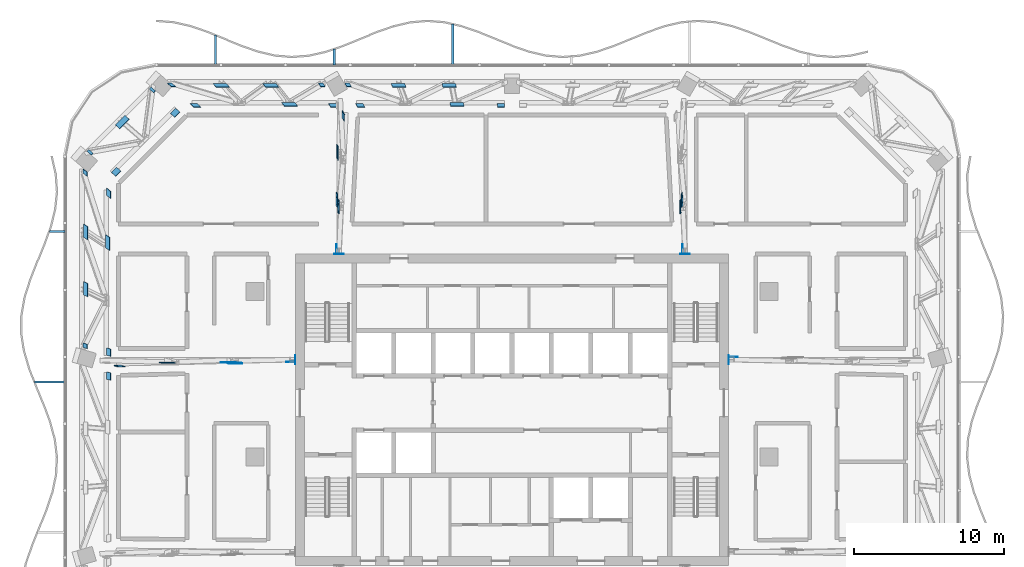
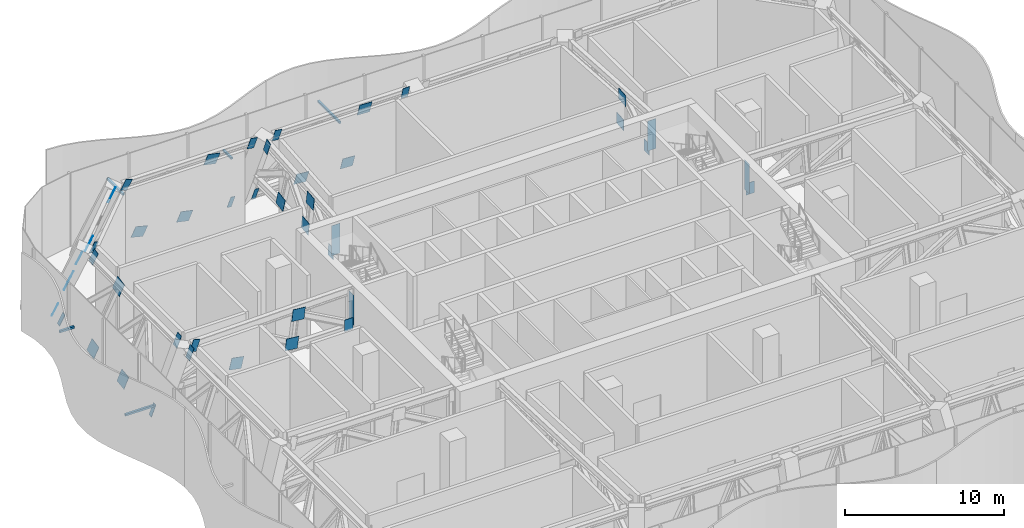
# One storey, part 17 of 29: 49 discrete accessories.
"""IFC4 building model written with IfcOpenShell, lengths in metres."""

from ifc_helpers import new_model, si_unit, direction, frame, origin, origin_2d, place, context, subcontext, project, spatial, rectangle, extrude, material, layer, layer_set, type_object, element, save


model = new_model("IFC4")

# Units and contexts
model_context = context("Model", 3, precision=1e-05, world=origin(), true_north=direction((0.0, 1.0)))
body_context = subcontext(model_context, "Body", "Model", "MODEL_VIEW")
ifc_project = project(units=[si_unit("LENGTHUNIT", "METRE"), si_unit("AREAUNIT", "SQUARE_METRE"), si_unit("VOLUMEUNIT", "CUBIC_METRE"), si_unit("PLANEANGLEUNIT", "RADIAN"), si_unit("MASSUNIT", "GRAM", prefix="KILO")], contexts=[model_context])

# Site, building, storey
site_placement = place(None, origin())
site = spatial("IfcSite", under=ifc_project, at=site_placement, CompositionType="ELEMENT")
building_placement = place(site_placement, origin())
building = spatial("IfcBuilding", under=site, at=building_placement, Name="Mopane Tessera Tower", CompositionType="ELEMENT")
storey_placement = place(building_placement, frame((0.0, 0.0, 315.39990234375)))
storey = spatial("IfcBuildingStorey", under=building, at=storey_placement, Name="L69", CompositionType="ELEMENT", Elevation=315.39990234375)

# Discrete accessories
ifc_material_1 = material(Name="Structural steel S460", Category="steel")
ifc_layer_1 = layer(ifc_material_1, 0.014892578125)
ifc_layer_set_1 = layer_set([ifc_layer_1], Name="Structural steel S460")
discrete_accessory_type_1 = type_object("IfcDiscreteAccessoryType", Name="Cast-in anchor plate 15 mm", PredefinedType="ANCHORPLATE", material=ifc_layer_set_1)
for number, where, z_axis, x_axis, name in (
    (1, (14.407470703125, 6.47998046875, 2.72021484375), (0.0, 0.0, 1.0), (1.0, 0.0, 0.0), "Cast-in anchor plate s ot L69 E2 p"),
    (2, (-14.407470703125, 6.47998046875, 2.72021484375), (0.0, 0.0, 1.0), (-1.0, 0.0, 0.0), "Cast-in anchor plate s ot L69 W1 p"),
    (3, (11.500732421875, 13.507568359375, 2.72021484375), (0.0, 0.0, 1.0), (0.0, 1.0, 0.0), "Cast-in anchor plate s ot L69 N1 p"),
    (4, (-11.500732421875, 13.507568359375, 2.72021484375), (0.0, 0.0, 1.0), (0.0, 1.0, 0.0), "Cast-in anchor plate s ot L69 N3 p"),
):
    element("IfcDiscreteAccessory", number, at=place(storey_placement, frame(where, z_axis=z_axis, x_axis=x_axis)), inside=storey, type_object=discrete_accessory_type_1, Name=name, PredefinedType="ANCHORPLATE", context=body_context, shape_type="SweptSolid", body=[
        extrude(rectangle(XDim=0.014892578125, YDim=0.60498046875, at=origin_2d()), origin(), (0.0, 0.0, 1.0), 2.309814453125),
    ])
ifc_material_2 = material(Name="Stainless steel S316", Category="steel")
discrete_accessory_type_2 = type_object("IfcDiscreteAccessoryType", Name="Louvre bracket 150 x 150", PredefinedType="BRACKET", material=ifc_material_2)
discrete_accessory_1_placement = place(storey_placement, frame((-3.941650390625, 27.43212890625, 2.5400390625), z_axis=(0.0, 0.0, 1.0), x_axis=(0.0, 1.0, 0.0)))
element("IfcDiscreteAccessory", 5, at=discrete_accessory_1_placement, inside=storey, type_object=discrete_accessory_type_2, Name="e:lv:L69:N:1:br1", PredefinedType="BRACKET", context=body_context, shape_type="SweptSolid", body=[
    extrude(rectangle(XDim=2.744384765625, YDim=0.14990234375, at=origin_2d()), origin(), (0.0, 0.0, 1.0), 0.14990234375),
])
discrete_accessory_2_placement = place(storey_placement, frame((-11.824951171875, 26.590087890625, 2.5400390625), z_axis=(0.0, 0.0, 1.0), x_axis=(0.0, 1.0, 0.0)))
element("IfcDiscreteAccessory", 6, at=discrete_accessory_2_placement, inside=storey, type_object=discrete_accessory_type_2, Name="e:lv:L69:N:2:br0", PredefinedType="BRACKET", context=body_context, shape_type="SweptSolid", body=[
    extrude(rectangle(XDim=1.060302734375, YDim=0.14990234375, at=origin_2d()), origin(), (0.0, 0.0, 1.0), 0.14990234375),
])
discrete_accessory_3_placement = place(storey_placement, frame((-19.708251953125, 27.056396484375, 2.5400390625), z_axis=(0.0, 0.0, 1.0), x_axis=(0.0, 1.0, 0.0)))
element("IfcDiscreteAccessory", 7, at=discrete_accessory_3_placement, inside=storey, type_object=discrete_accessory_type_2, Name="e:lv:L69:N:2:br1", PredefinedType="BRACKET", context=body_context, shape_type="SweptSolid", body=[
    extrude(rectangle(XDim=1.992919921875, YDim=0.14990234375, at=origin_2d()), origin(), (0.0, 0.0, 1.0), 0.14990234375),
])
discrete_accessory_4_placement = place(storey_placement, frame((-30.23583984375, 15.0, 2.5400390625), z_axis=(0.0, 0.0, 1.0), x_axis=(-1.0, 0.0, 0.0)))
element("IfcDiscreteAccessory", 8, at=discrete_accessory_4_placement, inside=storey, type_object=discrete_accessory_type_2, Name="e:lv:L69:W:0:br0", PredefinedType="BRACKET", context=body_context, shape_type="SweptSolid", body=[
    extrude(rectangle(XDim=1.0517578125, YDim=0.14990234375, at=origin_2d()), origin(), (0.0, 0.0, 1.0), 0.14990234375),
])
discrete_accessory_5_placement = place(storey_placement, frame((-30.7353515625, 5.0, 2.5400390625), z_axis=(0.0, 0.0, 1.0), x_axis=(-1.0, 0.0, 0.0)))
element("IfcDiscreteAccessory", 9, at=discrete_accessory_5_placement, inside=storey, type_object=discrete_accessory_type_2, Name="e:lv:L69:W:0:br1", PredefinedType="BRACKET", context=body_context, shape_type="SweptSolid", body=[
    extrude(rectangle(XDim=2.050537109375, YDim=0.14990234375, at=origin_2d()), origin(), (0.0, 0.0, 1.0), 0.14990234375),
])
ifc_material_3 = material(Name="Structural steel S460", Category="steel")
ifc_layer_2 = layer(ifc_material_3, 0.030029296875)
ifc_layer_set_2 = layer_set([ifc_layer_2], Name="Structural steel S460")
discrete_accessory_type_3 = type_object("IfcDiscreteAccessoryType", Name="Truss node plate 30 mm", PredefinedType="BRACKET", material=ifc_layer_set_2)
for number, where, z_axis, x_axis, name in (
    (10, (14.721435546875, 6.64697265625, 2.35986328125), (-0.007322813267, -0.00216972245, 0.99997083393), (-0.005274805042, 0.999983817242, 0.002131123082), "Truss node plate s ot L69 E2 0"),
    (11, (-14.720703125, 6.31201171875, 2.35986328125), (0.007322813267, -0.00216972245, 0.99997083393), (-0.005274805042, -0.999983817242, -0.002131123082), "Truss node plate s ot L69 W1 0"),
):
    element("IfcDiscreteAccessory", number, at=place(storey_placement, frame(where, z_axis=z_axis, x_axis=x_axis)), inside=storey, type_object=discrete_accessory_type_3, Name=name, PredefinedType="BRACKET", context=body_context, shape_type="SweptSolid", body=[
        extrude(rectangle(XDim=0.030029296875, YDim=0.599853515625, at=origin_2d()), origin(), (0.0, 0.0, 1.0), 0.900146484375),
    ])
discrete_accessory_6_placement = place(storey_placement, frame((-18.4560546875, 6.24560546875, 4.490234375), z_axis=(0.096898669988, -0.028070923896, 0.994898321934), x_axis=(-0.001900833354, -0.99960559449, -0.028018606254)))
element("IfcDiscreteAccessory", 12, at=discrete_accessory_6_placement, inside=storey, type_object=discrete_accessory_type_3, Name="Truss node plate s ot L69 W1 2", PredefinedType="BRACKET", context=body_context, shape_type="SweptSolid", body=[
    extrude(rectangle(XDim=0.030029296875, YDim=0.89990234375, at=origin_2d()), origin(), (0.0, 0.0, 1.0), 0.904541015625),
])
discrete_accessory_7_placement = place(storey_placement, frame((-18.9130859375, 6.304931640625, 2.35986328125), z_axis=(0.102209777004, -0.029665106782, 0.994320442777), x_axis=(-0.002718656982, -0.999559843841, -0.029541961439)))
element("IfcDiscreteAccessory", 13, at=discrete_accessory_7_placement, inside=storey, type_object=discrete_accessory_type_3, Name="Truss node plate s ot L69 W1 3", PredefinedType="BRACKET", context=body_context, shape_type="SweptSolid", body=[
    extrude(rectangle(XDim=0.030029296875, YDim=0.89990234375, at=origin_2d()), origin(), (0.0, 0.0, 1.0), 0.9052734375),
])
discrete_accessory_8_placement = place(storey_placement, frame((-22.998046875, 6.302978515625, 2.27001953125), z_axis=(0.191879383431, -0.055278271127, 0.979860507907), x_axis=(-0.008392974828, -0.998468409576, -0.054684486402)))
element("IfcDiscreteAccessory", 14, at=discrete_accessory_8_placement, inside=storey, type_object=discrete_accessory_type_3, Name="Truss node plate s ot L69 W1 5", PredefinedType="BRACKET", context=body_context, shape_type="SweptSolid", body=[
    extrude(rectangle(XDim=0.030029296875, YDim=0.89990234375, at=origin_2d()), origin(), (0.0, 0.0, 1.0), 0.918701171875),
])
discrete_accessory_9_placement = place(storey_placement, frame((-26.199951171875, 6.082763671875, 4.89013671875), z_axis=(0.273592050597, -0.078800752216, 0.958612451046), x_axis=(-0.019443960289, -0.996887818244, -0.076397710989)))
element("IfcDiscreteAccessory", 15, at=discrete_accessory_9_placement, inside=storey, type_object=discrete_accessory_type_3, Name="Truss node plate s ot L69 W1 7", PredefinedType="BRACKET", context=body_context, shape_type="SweptSolid", body=[
    extrude(rectangle(XDim=0.030029296875, YDim=0.489990234375, at=origin_2d()), origin(), (0.0, 0.0, 1.0), 0.938720703125),
])
discrete_accessory_10_placement = place(storey_placement, frame((11.33251953125, 13.8359375, 2.34912109375), z_axis=(-0.004881787175, -0.008407522357, 0.999952739744), x_axis=(-0.999984928083, -0.002471218905, -0.00490272213)))
element("IfcDiscreteAccessory", 16, at=discrete_accessory_10_placement, inside=storey, type_object=discrete_accessory_type_3, Name="Truss node plate s ot L69 N1 0", PredefinedType="BRACKET", context=body_context, shape_type="SweptSolid", body=[
    extrude(rectangle(XDim=0.030029296875, YDim=0.629638671875, at=origin_2d()), origin(), (0.0, 0.0, 1.0), 0.900146484375),
])
discrete_accessory_11_placement = place(storey_placement, frame((11.218994140625, 16.693359375, 4.5009765625), z_axis=(-0.047801276337, -0.082369430975, 0.995454828117), x_axis=(-0.998853092895, 0.001202751884, -0.047864937091)))
element("IfcDiscreteAccessory", 17, at=discrete_accessory_11_placement, inside=storey, type_object=discrete_accessory_type_3, Name="Truss node plate s ot L69 N1 2", PredefinedType="BRACKET", context=body_context, shape_type="SweptSolid", body=[
    extrude(rectangle(XDim=0.030029296875, YDim=0.89990234375, at=origin_2d()), origin(), (0.0, 0.0, 1.0), 0.904052734375),
])
discrete_accessory_12_placement = place(storey_placement, frame((11.32080078125, 17.1513671875, 2.34912109375), z_axis=(-0.051528829068, -0.089028866976, 0.994695250124), x_axis=(-0.998663954246, 0.000719835472, -0.051669994455)))
element("IfcDiscreteAccessory", 18, at=discrete_accessory_12_placement, inside=storey, type_object=discrete_accessory_type_3, Name="Truss node plate s ot L69 N1 3", PredefinedType="BRACKET", context=body_context, shape_type="SweptSolid", body=[
    extrude(rectangle(XDim=0.030029296875, YDim=0.89990234375, at=origin_2d()), origin(), (0.0, 0.0, 1.0), 0.905029296875),
])
discrete_accessory_13_placement = place(storey_placement, frame((-11.66748046875, 13.83740234375, 2.34912109375), z_axis=(0.004881787175, -0.008407522357, 0.999952739744), x_axis=(-0.999984928083, 0.002471218905, 0.00490272213)))
element("IfcDiscreteAccessory", 19, at=discrete_accessory_13_placement, inside=storey, type_object=discrete_accessory_type_3, Name="Truss node plate s ot L69 N3 0", PredefinedType="BRACKET", context=body_context, shape_type="SweptSolid", body=[
    extrude(rectangle(XDim=0.030029296875, YDim=0.629638671875, at=origin_2d()), origin(), (0.0, 0.0, 1.0), 0.900146484375),
])
discrete_accessory_14_placement = place(storey_placement, frame((-11.553955078125, 16.69482421875, 4.5009765625), z_axis=(0.047801276337, -0.082369430975, 0.995454828117), x_axis=(-0.998853092895, -0.001202751884, 0.047864937091)))
element("IfcDiscreteAccessory", 20, at=discrete_accessory_14_placement, inside=storey, type_object=discrete_accessory_type_3, Name="Truss node plate s ot L69 N3 2", PredefinedType="BRACKET", context=body_context, shape_type="SweptSolid", body=[
    extrude(rectangle(XDim=0.030029296875, YDim=0.89990234375, at=origin_2d()), origin(), (0.0, 0.0, 1.0), 0.904052734375),
])
discrete_accessory_15_placement = place(storey_placement, frame((-11.65576171875, 17.15283203125, 2.34912109375), z_axis=(0.051528829068, -0.089028866976, 0.994695250124), x_axis=(-0.998663954246, -0.000719835472, 0.051669994455)))
element("IfcDiscreteAccessory", 21, at=discrete_accessory_15_placement, inside=storey, type_object=discrete_accessory_type_3, Name="Truss node plate s ot L69 N3 3", PredefinedType="BRACKET", context=body_context, shape_type="SweptSolid", body=[
    extrude(rectangle(XDim=0.030029296875, YDim=0.89990234375, at=origin_2d()), origin(), (0.0, 0.0, 1.0), 0.905029296875),
])
discrete_accessory_16_placement = place(storey_placement, frame((-11.652099609375, 20.341552734375, 2.27001953125), z_axis=(0.094802321938, -0.164306271449, 0.981843148837), x_axis=(-0.995482725234, -0.010530982509, 0.094356993213)))
element("IfcDiscreteAccessory", 22, at=discrete_accessory_16_placement, inside=storey, type_object=discrete_accessory_type_3, Name="Truss node plate s ot L69 N3 5", PredefinedType="BRACKET", context=body_context, shape_type="SweptSolid", body=[
    extrude(rectangle(XDim=0.030029296875, YDim=0.89990234375, at=origin_2d()), origin(), (0.0, 0.0, 1.0), 0.916748046875),
])
discrete_accessory_17_placement = place(storey_placement, frame((-11.27734375, 22.777099609375, 4.89013671875), z_axis=(0.135051361017, -0.233792975068, 0.962861347597), x_axis=(-0.990827757085, -0.027319616361, 0.132340448662)))
element("IfcDiscreteAccessory", 23, at=discrete_accessory_17_placement, inside=storey, type_object=discrete_accessory_type_3, Name="Truss node plate s ot L69 N3 8", PredefinedType="BRACKET", context=body_context, shape_type="SweptSolid", body=[
    extrude(rectangle(XDim=0.030029296875, YDim=0.489990234375, at=origin_2d()), origin(), (0.0, 0.0, 1.0), 0.9345703125),
])
discrete_accessory_18_placement = place(storey_placement, frame((-0.737060546875, 23.50244140625, 4.984130859375), z_axis=(0.009960645933, -0.257666182939, 0.966182655455), x_axis=(-0.002534652791, -0.966233990487, -0.257653742768)))
element("IfcDiscreteAccessory", 24, at=discrete_accessory_18_placement, inside=storey, type_object=discrete_accessory_type_3, Name="Truss node plate s bt L69 N2-N3 1", PredefinedType="BRACKET", context=body_context, shape_type="SweptSolid", body=[
    extrude(rectangle(XDim=0.030029296875, YDim=0.489990234375, at=origin_2d()), origin(), (0.0, 0.0, 1.0), 0.931396484375),
])
discrete_accessory_19_placement = place(storey_placement, frame((-3.683837890625, 23.568115234375, 4.737548828125), z_axis=(0.049470373495, -0.257298291778, 0.965064905172), x_axis=(-0.012867346975, -0.966331983369, -0.256976515073)))
element("IfcDiscreteAccessory", 25, at=discrete_accessory_19_placement, inside=storey, type_object=discrete_accessory_type_3, Name="Truss node plate s bt L69 N2-N3 2", PredefinedType="BRACKET", context=body_context, shape_type="SweptSolid", body=[
    extrude(rectangle(XDim=0.030029296875, YDim=0.89990234375, at=origin_2d()), origin(), (0.0, 0.0, 1.0), 0.9326171875),
])
discrete_accessory_20_placement = place(storey_placement, frame((-4.197021484375, 24.82861328125, 0.010498046875), z_axis=(0.052863893564, -0.257253501849, 0.964896908765), x_axis=(-0.013805728546, -0.966343918513, -0.256882916933)))
element("IfcDiscreteAccessory", 26, at=discrete_accessory_20_placement, inside=storey, type_object=discrete_accessory_type_3, Name="Truss node plate s bt L69 N2-N3 3", PredefinedType="BRACKET", context=body_context, shape_type="SweptSolid", body=[
    extrude(rectangle(XDim=0.030029296875, YDim=0.89990234375, at=origin_2d()), origin(), (0.0, 0.0, 1.0), 0.932861328125),
])
discrete_accessory_21_placement = place(storey_placement, frame((-7.586669921875, 24.836181640625, -0.017822265625), z_axis=(0.095244405657, -0.25650753633, 0.961838025344), x_axis=(-0.024831178564, -0.966542133918, -0.255303184337)))
element("IfcDiscreteAccessory", 27, at=discrete_accessory_21_placement, inside=storey, type_object=discrete_accessory_type_3, Name="Truss node plate s bt L69 N2-N3 5", PredefinedType="BRACKET", context=body_context, shape_type="SweptSolid", body=[
    extrude(rectangle(XDim=0.030029296875, YDim=0.89990234375, at=origin_2d()), origin(), (0.0, 0.0, 1.0), 0.935546875),
])
discrete_accessory_22_placement = place(storey_placement, frame((-10.152099609375, 23.50244140625, 4.984130859375), z_axis=(0.135316340697, -0.255308949914, 0.957343631114), x_axis=(-0.036396276578, -0.966859306663, -0.252702180779)))
element("IfcDiscreteAccessory", 28, at=discrete_accessory_22_placement, inside=storey, type_object=discrete_accessory_type_3, Name="Truss node plate s bt L69 N2-N3 7", PredefinedType="BRACKET", context=body_context, shape_type="SweptSolid", body=[
    extrude(rectangle(XDim=0.030029296875, YDim=0.489990234375, at=origin_2d()), origin(), (0.0, 0.0, 1.0), 0.93994140625),
])
discrete_accessory_23_placement = place(storey_placement, frame((-10.961669921875, 24.85693359375, -0.095458984375), z_axis=(0.136845666594, -0.255254820231, 0.957140658568), x_axis=(-0.035428208449, -0.966873575277, -0.252785148846)))
element("IfcDiscreteAccessory", 29, at=discrete_accessory_23_placement, inside=storey, type_object=discrete_accessory_type_3, Name="Truss node plate s bt L69 N2-N3 8", PredefinedType="BRACKET", context=body_context, shape_type="SweptSolid", body=[
    extrude(rectangle(XDim=0.030029296875, YDim=0.310302734375, at=origin_2d()), origin(), (0.0, 0.0, 1.0), 0.940185546875),
])
discrete_accessory_24_placement = place(storey_placement, frame((-12.71875, 24.857177734375, -0.096435546875), z_axis=(0.158109970765, -0.254373324487, 0.954094046169), x_axis=(-0.041191599282, -0.967106023979, -0.251016315273)))
element("IfcDiscreteAccessory", 30, at=discrete_accessory_24_placement, inside=storey, type_object=discrete_accessory_type_3, Name="Truss node plate s bt L69 N3-N4 0", PredefinedType="BRACKET", context=body_context, shape_type="SweptSolid", body=[
    extrude(rectangle(XDim=0.030029296875, YDim=0.311767578125, at=origin_2d()), origin(), (0.0, 0.0, 1.0), 0.943359375),
])
discrete_accessory_25_placement = place(storey_placement, frame((-11.9609375, 23.50244140625, 4.984130859375), z_axis=(0.159158218115, -0.254394355133, 0.953914133286), x_axis=(-0.041685274756, -0.967100553491, -0.25095588717)))
element("IfcDiscreteAccessory", 31, at=discrete_accessory_25_placement, inside=storey, type_object=discrete_accessory_type_3, Name="Truss node plate s bt L69 N3-N4 1", PredefinedType="BRACKET", context=body_context, shape_type="SweptSolid", body=[
    extrude(rectangle(XDim=0.030029296875, YDim=0.489990234375, at=origin_2d()), origin(), (0.0, 0.0, 1.0), 0.943359375),
])
discrete_accessory_26_placement = place(storey_placement, frame((-14.87890625, 23.56787109375, 4.738525390625), z_axis=(0.195829942818, -0.252625766129, 0.947539368989), x_axis=(-0.051206249335, -0.967564063323, -0.247381695756)))
element("IfcDiscreteAccessory", 32, at=discrete_accessory_26_placement, inside=storey, type_object=discrete_accessory_type_3, Name="Truss node plate s bt L69 N3-N4 2", PredefinedType="BRACKET", context=body_context, shape_type="SweptSolid", body=[
    extrude(rectangle(XDim=0.030029296875, YDim=0.89990234375, at=origin_2d()), origin(), (0.0, 0.0, 1.0), 0.949951171875),
])
discrete_accessory_27_placement = place(storey_placement, frame((-16.12939453125, 24.828857421875, 0.009521484375), z_axis=(0.199039583579, -0.252459239559, 0.946914767299), x_axis=(-0.05207246776, -0.9676075201, -0.247030656291)))
element("IfcDiscreteAccessory", 33, at=discrete_accessory_27_placement, inside=storey, type_object=discrete_accessory_type_3, Name="Truss node plate s bt L69 N3-N4 3", PredefinedType="BRACKET", context=body_context, shape_type="SweptSolid", body=[
    extrude(rectangle(XDim=0.030029296875, YDim=0.89990234375, at=origin_2d()), origin(), (0.0, 0.0, 1.0), 0.95068359375),
])
discrete_accessory_28_placement = place(storey_placement, frame((-19.45166015625, 24.836181640625, -0.017822265625), z_axis=(0.238050623208, -0.250271403865, 0.938454114594), x_axis=(-0.061264324316, -0.968175681886, -0.242657230618)))
element("IfcDiscreteAccessory", 34, at=discrete_accessory_28_placement, inside=storey, type_object=discrete_accessory_type_3, Name="Truss node plate s bt L69 N3-N4 5", PredefinedType="BRACKET", context=body_context, shape_type="SweptSolid", body=[
    extrude(rectangle(XDim=0.030029296875, YDim=0.89990234375, at=origin_2d()), origin(), (0.0, 0.0, 1.0), 0.958984375),
])
discrete_accessory_29_placement = place(storey_placement, frame((-21.177734375, 23.50244140625, 4.984130859375), z_axis=(0.274499772377, -0.247780786268, 0.92911493203), x_axis=(-0.069903971838, -0.968816076177, -0.237715891902)))
element("IfcDiscreteAccessory", 35, at=discrete_accessory_29_placement, inside=storey, type_object=discrete_accessory_type_3, Name="Truss node plate s bt L69 N3-N4 7", PredefinedType="BRACKET", context=body_context, shape_type="SweptSolid", body=[
    extrude(rectangle(XDim=0.030029296875, YDim=0.489990234375, at=origin_2d()), origin(), (0.0, 0.0, 1.0), 0.968505859375),
])
discrete_accessory_30_placement = place(storey_placement, frame((-22.768310546875, 24.857177734375, -0.096435546875), z_axis=(0.275134362275, -0.247671316957, 0.928956404495), x_axis=(-0.070679810645, -0.968844051852, -0.237372213113)))
element("IfcDiscreteAccessory", 36, at=discrete_accessory_30_placement, inside=storey, type_object=discrete_accessory_type_3, Name="Truss node plate s bt L69 N3-N4 8", PredefinedType="BRACKET", context=body_context, shape_type="SweptSolid", body=[
    extrude(rectangle(XDim=0.030029296875, YDim=0.309326171875, at=origin_2d()), origin(), (0.0, 0.0, 1.0), 0.968994140625),
])
discrete_accessory_31_placement = place(storey_placement, frame((-24.043701171875, 24.52490234375, -0.27294921875), z_axis=(0.285631026332, -0.246943974392, 0.925977100315), x_axis=(0.647377127261, -0.66272353463, -0.376431098274)))
element("IfcDiscreteAccessory", 37, at=discrete_accessory_31_placement, inside=storey, type_object=discrete_accessory_type_3, Name="Truss node plate s bt L69 N4-W0 0", PredefinedType="BRACKET", context=body_context, shape_type="SweptSolid", body=[
    extrude(rectangle(XDim=0.030029296875, YDim=0.1787109375, at=origin_2d()), origin(), (0.0, 0.0, 1.0), 0.971923828125),
])
discrete_accessory_32_placement = place(storey_placement, frame((-22.532958984375, 23.012939453125, 4.984130859375), z_axis=(0.285631026332, -0.246943974392, 0.925977100315), x_axis=(0.647377127261, -0.66272353463, -0.376431098274)))
element("IfcDiscreteAccessory", 38, at=discrete_accessory_32_placement, inside=storey, type_object=discrete_accessory_type_3, Name="Truss node plate s bt L69 N4-W0 1", PredefinedType="BRACKET", context=body_context, shape_type="SweptSolid", body=[
    extrude(rectangle(XDim=0.030029296875, YDim=0.489990234375, at=origin_2d()), origin(), (0.0, 0.0, 1.0), 0.971923828125),
])
discrete_accessory_33_placement = place(storey_placement, frame((-26.036376953125, 22.3857421875, -0.017822265625), z_axis=(0.285631026332, -0.246943974392, 0.925977100315), x_axis=(0.647377127261, -0.66272353463, -0.376431098274)))
element("IfcDiscreteAccessory", 39, at=discrete_accessory_33_placement, inside=storey, type_object=discrete_accessory_type_3, Name="Truss node plate s bt L69 N4-W0 3", PredefinedType="BRACKET", context=body_context, shape_type="SweptSolid", body=[
    extrude(rectangle(XDim=0.030029296875, YDim=0.89990234375, at=origin_2d()), origin(), (0.0, 0.0, 1.0), 0.971923828125),
])
discrete_accessory_34_placement = place(storey_placement, frame((-28.186279296875, 20.38232421875, -0.27294921875), z_axis=(0.285631026332, -0.246943974392, 0.925977100315), x_axis=(0.647377127261, -0.66272353463, -0.376431098274)))
element("IfcDiscreteAccessory", 40, at=discrete_accessory_34_placement, inside=storey, type_object=discrete_accessory_type_3, Name="Truss node plate s bt L69 N4-W0 5", PredefinedType="BRACKET", context=body_context, shape_type="SweptSolid", body=[
    extrude(rectangle(XDim=0.030029296875, YDim=0.1787109375, at=origin_2d()), origin(), (0.0, 0.0, 1.0), 0.971923828125),
])
discrete_accessory_35_placement = place(storey_placement, frame((-26.455322265625, 19.090576171875, 4.984130859375), z_axis=(0.285382567275, -0.247197575879, 0.92598604135), x_axis=(0.646761608592, -0.6633366474, -0.376409237223)))
element("IfcDiscreteAccessory", 41, at=discrete_accessory_35_placement, inside=storey, type_object=discrete_accessory_type_3, Name="Truss node plate s bt L69 N4-W0 6", PredefinedType="BRACKET", context=body_context, shape_type="SweptSolid", body=[
    extrude(rectangle(XDim=0.030029296875, YDim=0.489990234375, at=origin_2d()), origin(), (0.0, 0.0, 1.0), 0.971923828125),
])
discrete_accessory_36_placement = place(storey_placement, frame((-28.50927734375, 19.02880859375, -0.090087890625), z_axis=(0.286481419079, -0.235333021477, 0.928733958421), x_axis=(0.95808575168, 0.070669707025, -0.277628321568)))
element("IfcDiscreteAccessory", 42, at=discrete_accessory_36_placement, inside=storey, type_object=discrete_accessory_type_3, Name="Truss node plate s bt L69 W0-W1 0", PredefinedType="BRACKET", context=body_context, shape_type="SweptSolid", body=[
    extrude(rectangle(XDim=0.030029296875, YDim=0.29150390625, at=origin_2d()), origin(), (0.0, 0.0, 1.0), 0.968994140625),
])
discrete_accessory_37_placement = place(storey_placement, frame((-26.94482421875, 17.650146484375, 4.984130859375), z_axis=(0.286549245447, -0.23438064931, 0.928953842321), x_axis=(0.958065497238, 0.069917590208, -0.277888527256)))
element("IfcDiscreteAccessory", 43, at=discrete_accessory_37_placement, inside=storey, type_object=discrete_accessory_type_3, Name="Truss node plate s bt L69 W0-W1 1", PredefinedType="BRACKET", context=body_context, shape_type="SweptSolid", body=[
    extrude(rectangle(XDim=0.030029296875, YDim=0.489990234375, at=origin_2d()), origin(), (0.0, 0.0, 1.0), 0.96875),
])
discrete_accessory_38_placement = place(storey_placement, frame((-27.0224609375, 14.35986328125, 4.732177734375), z_axis=(0.289216050564, -0.191793229662, 0.937853630985), x_axis=(0.957263829653, 0.057750446669, -0.283391683625)))
element("IfcDiscreteAccessory", 44, at=discrete_accessory_38_placement, inside=storey, type_object=discrete_accessory_type_3, Name="Truss node plate s bt L69 W0-W1 2", PredefinedType="BRACKET", context=body_context, shape_type="SweptSolid", body=[
    extrude(rectangle(XDim=0.030029296875, YDim=0.89990234375, at=origin_2d()), origin(), (0.0, 0.0, 1.0), 0.959716796875),
])
discrete_accessory_39_placement = place(storey_placement, frame((-28.4765625, 15.061279296875, 0.01611328125), z_axis=(0.28948110223, -0.188404587203, 0.938458524908), x_axis=(0.957183609185, 0.057470174389, -0.283719434236)))
element("IfcDiscreteAccessory", 45, at=discrete_accessory_39_placement, inside=storey, type_object=discrete_accessory_type_3, Name="Truss node plate s bt L69 W0-W1 3", PredefinedType="BRACKET", context=body_context, shape_type="SweptSolid", body=[
    extrude(rectangle(XDim=0.030029296875, YDim=0.89990234375, at=origin_2d()), origin(), (0.0, 0.0, 1.0), 0.958984375),
])
discrete_accessory_40_placement = place(storey_placement, frame((-28.487060546875, 11.238525390625, -0.017822265625), z_axis=(0.291776680016, -0.141910733552, 0.945900477165), x_axis=(0.956486406756, 0.042927783244, -0.288601730968)))
element("IfcDiscreteAccessory", 46, at=discrete_accessory_40_placement, inside=storey, type_object=discrete_accessory_type_3, Name="Truss node plate s bt L69 W0-W1 5", PredefinedType="BRACKET", context=body_context, shape_type="SweptSolid", body=[
    extrude(rectangle(XDim=0.030029296875, YDim=0.89990234375, at=origin_2d()), origin(), (0.0, 0.0, 1.0), 0.951416015625),
])
discrete_accessory_41_placement = place(storey_placement, frame((-26.94482421875, 7.025390625, 4.984130859375), z_axis=(0.293413101939, -0.095481836163, 0.951205535399), x_axis=(0.955985745609, 0.029384762405, -0.291937989872)))
element("IfcDiscreteAccessory", 47, at=discrete_accessory_41_placement, inside=storey, type_object=discrete_accessory_type_3, Name="Truss node plate s bt L69 W0-W1 7", PredefinedType="BRACKET", context=body_context, shape_type="SweptSolid", body=[
    extrude(rectangle(XDim=0.030029296875, YDim=0.489990234375, at=origin_2d()), origin(), (0.0, 0.0, 1.0), 0.946044921875),
])
discrete_accessory_42_placement = place(storey_placement, frame((-28.50927734375, 7.443359375, -0.090087890625), z_axis=(0.293441868587, -0.094458860073, 0.951298792974), x_axis=(0.955976866944, 0.028666057055, -0.292038502668)))
element("IfcDiscreteAccessory", 48, at=discrete_accessory_42_placement, inside=storey, type_object=discrete_accessory_type_3, Name="Truss node plate s bt L69 W0-W1 8", PredefinedType="BRACKET", context=body_context, shape_type="SweptSolid", body=[
    extrude(rectangle(XDim=0.030029296875, YDim=0.307861328125, at=origin_2d()), origin(), (0.0, 0.0, 1.0), 0.946044921875),
])
discrete_accessory_43_placement = place(storey_placement, frame((-26.94482421875, 5.421875, 4.984130859375), z_axis=(0.293952945587, -0.07394067057, 0.952955635387), x_axis=(0.955819841025, 0.022414379027, -0.293097299741)))
element("IfcDiscreteAccessory", 49, at=discrete_accessory_43_placement, inside=storey, type_object=discrete_accessory_type_3, Name="Truss node plate s bt L69 W1-W2 1", PredefinedType="BRACKET", context=body_context, shape_type="SweptSolid", body=[
    extrude(rectangle(XDim=0.030029296875, YDim=0.489990234375, at=origin_2d()), origin(), (0.0, 0.0, 1.0), 0.9443359375),
])

save(model, "model.ifc")
